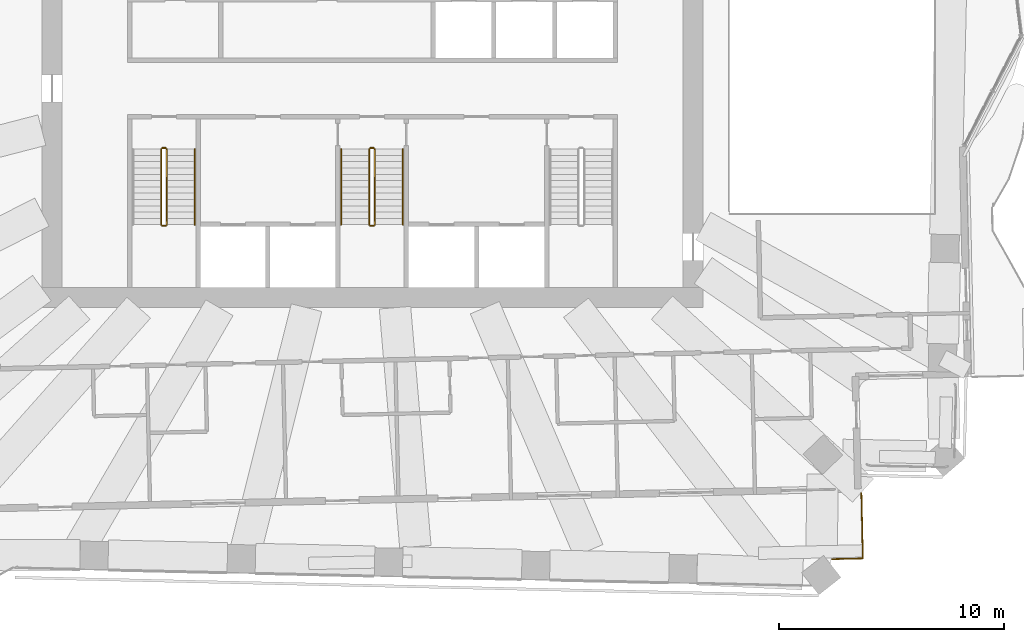
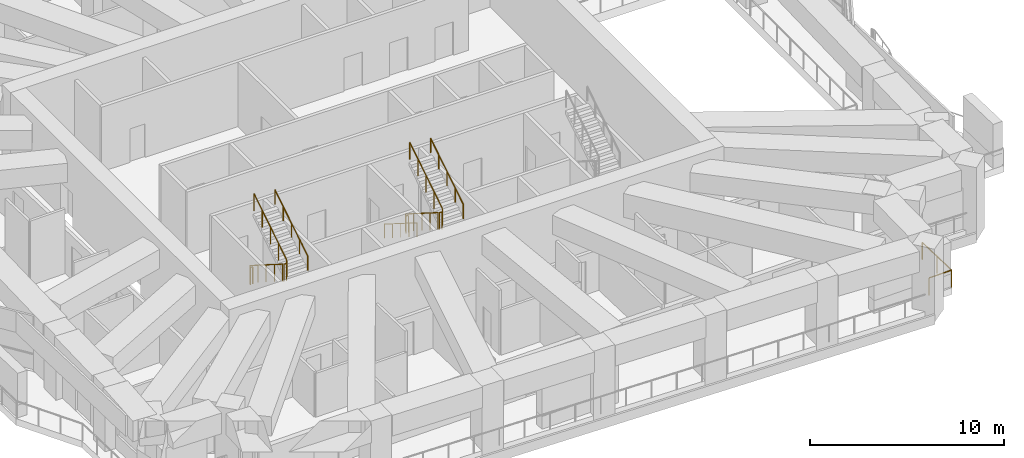
# One storey, part 15 of 17: 12 railings.
"""IFC4 building model written with IfcOpenShell, lengths in metres."""

from ifc_helpers import new_model, si_unit, direction, frame, origin, origin_2d, place, context, subcontext, project, spatial, rectangle, circle, extrude, material, type_object, element, save


model = new_model("IFC4")

# Units and contexts
model_context = context("Model", 3, precision=1e-05, world=origin(), true_north=direction((0.0, 1.0)))
body_context = subcontext(model_context, "Body", "Model", "MODEL_VIEW")
ifc_project = project(units=[si_unit("LENGTHUNIT", "METRE"), si_unit("AREAUNIT", "SQUARE_METRE"), si_unit("VOLUMEUNIT", "CUBIC_METRE"), si_unit("PLANEANGLEUNIT", "RADIAN"), si_unit("MASSUNIT", "GRAM", prefix="KILO")], contexts=[model_context])

# Site, building, storey
site_placement = place(None, origin())
site = spatial("IfcSite", under=ifc_project, at=site_placement, CompositionType="ELEMENT")
building_placement = place(site_placement, origin())
building = spatial("IfcBuilding", under=site, at=building_placement, Name="Mangrove Gate Tower", CompositionType="ELEMENT")
storey_placement = place(building_placement, frame((0.0, 0.0, 170.699951171875)))
storey = spatial("IfcBuildingStorey", under=building, at=storey_placement, Name="L43", CompositionType="ELEMENT", Elevation=170.699951171875)

# Railings
ifc_material_1 = material(Name="Stainless steel grade 316 with laminated glass infill", Category="steel")
railing_type_1 = type_object("IfcRailingType", Name="Balcony guard 1100", PredefinedType="GUARDRAIL", material=ifc_material_1)
railing_1_placement = place(storey_placement, frame((20.43994140625, -22.87890625, 0.0)))
element("IfcRailing", 1, at=railing_1_placement, inside=storey, type_object=railing_type_1, Name="GUARD L43 S2", PredefinedType="GUARDRAIL", context=body_context, shape_type="SweptSolid", body=[
    extrude(rectangle(XDim=0.048095703125, YDim=0.048095703125, at=origin_2d()), frame((0.0, 0.0, 1.076171875), z_axis=(0.999740630614, 0.022774360554, 0.0), x_axis=(-0.022774360554, 0.999740630614, 0.0)), (0.0, 0.0, 1.0), 1.361328125),
    extrude(rectangle(XDim=0.048095703125, YDim=0.048095703125, at=origin_2d()), frame((1.361083984375, 0.031005859375, 1.076171875), z_axis=(-0.022654696127, 0.999743349437, 0.0), x_axis=(-0.999743349437, -0.022654696127, 0.0)), (0.0, 0.0, 1.0), 2.90966796875),
    extrude(rectangle(XDim=0.0419921875, YDim=0.0419921875, at=origin_2d()), origin(), (0.0, 0.0, 1.0), 1.052001953125),
    extrude(rectangle(XDim=0.0419921875, YDim=0.0419921875, at=origin_2d()), frame((1.361083984375, 0.031005859375, 0.0)), (0.0, 0.0, 1.0), 1.052001953125),
    extrude(rectangle(XDim=0.0419921875, YDim=0.0419921875, at=origin_2d()), frame((1.328125, 1.4853515625, 0.0)), (0.0, 0.0, 1.0), 1.052001953125),
    extrude(rectangle(XDim=0.0419921875, YDim=0.0419921875, at=origin_2d()), frame((1.295166015625, 2.93994140625, 0.0)), (0.0, 0.0, 1.0), 1.052001953125),
])
ifc_material_2 = material(Name="Stainless steel 316", Category="steel")
railing_type_2 = type_object("IfcRailingType", Name="Core stair guard 1100", PredefinedType="GUARDRAIL", material=ifc_material_2)
railing_2_placement = place(storey_placement, frame((-9.39990234375, -4.64990234375, 0.177001953125)))
element("IfcRailing", 2, at=railing_2_placement, inside=storey, type_object=railing_type_2, Name="L43 ST1 stair guard 1", PredefinedType="GUARDRAIL", context=body_context, shape_type="SweptSolid", body=[
    extrude(rectangle(XDim=0.048095703125, YDim=0.048095703125, at=origin_2d()), frame((0.0, 0.0, 1.076171875), z_axis=(0.0, -0.845389635667, 0.534150132366), x_axis=(1.0, 0.0, 0.0)), (0.0, 0.0, 1.0), 3.974609375),
    extrude(rectangle(XDim=0.0419921875, YDim=0.0419921875, at=origin_2d()), origin(), (0.0, 0.0, 1.0), 1.052001953125),
    extrude(rectangle(XDim=0.0419921875, YDim=0.0419921875, at=origin_2d()), frame((0.0, -0.840087890625, 0.53076171875)), (0.0, 0.0, 1.0), 1.052001953125),
    extrude(rectangle(XDim=0.0419921875, YDim=0.0419921875, at=origin_2d()), frame((0.0, -1.68017578125, 1.0615234375)), (0.0, 0.0, 1.0), 1.052001953125),
    extrude(rectangle(XDim=0.0419921875, YDim=0.0419921875, at=origin_2d()), frame((0.0, -2.52001953125, 1.59228515625)), (0.0, 0.0, 1.0), 1.052001953125),
    extrude(rectangle(XDim=0.0419921875, YDim=0.0419921875, at=origin_2d()), frame((0.0, -3.360107421875, 2.123046875)), (0.0, 0.0, 1.0), 1.052001953125),
])
railing_3_placement = place(storey_placement, frame((-9.35009765625, -8.06005859375, 2.300048828125)))
element("IfcRailing", 3, at=railing_3_placement, inside=storey, type_object=railing_type_2, Name="L43 ST1 stair guard 2", PredefinedType="GUARDRAIL", context=body_context, shape_type="SweptSolid", body=[
    extrude(rectangle(XDim=0.048095703125, YDim=0.048095703125, at=origin_2d()), frame((0.0, 0.0, 1.076171875), z_axis=(1.0, 0.0, 0.0), x_axis=(0.0, 1.0, 0.0)), (0.0, 0.0, 1.0), 0.150146484375),
    extrude(rectangle(XDim=0.0419921875, YDim=0.0419921875, at=origin_2d()), origin(), (0.0, 0.0, 1.0), 1.052001953125),
    extrude(rectangle(XDim=0.0419921875, YDim=0.0419921875, at=origin_2d()), frame((0.150146484375, 0.0, 0.0)), (0.0, 0.0, 1.0), 1.052001953125),
])
railing_4_placement = place(storey_placement, frame((-9.14990234375, -8.010009765625, 2.47705078125)))
element("IfcRailing", 4, at=railing_4_placement, inside=storey, type_object=railing_type_2, Name="L43 ST1 stair guard 3", PredefinedType="GUARDRAIL", context=body_context, shape_type="SweptSolid", body=[
    extrude(rectangle(XDim=0.048095703125, YDim=0.048095703125, at=origin_2d()), frame((0.0, 0.0, 1.076171875), z_axis=(0.0, 0.845389635667, 0.534150132366), x_axis=(-1.0, 0.0, 0.0)), (0.0, 0.0, 1.0), 3.974609375),
    extrude(rectangle(XDim=0.0419921875, YDim=0.0419921875, at=origin_2d()), origin(), (0.0, 0.0, 1.0), 1.052001953125),
    extrude(rectangle(XDim=0.0419921875, YDim=0.0419921875, at=origin_2d()), frame((0.0, 0.840087890625, 0.53076171875)), (0.0, 0.0, 1.0), 1.052001953125),
    extrude(rectangle(XDim=0.0419921875, YDim=0.0419921875, at=origin_2d()), frame((0.0, 1.68017578125, 1.0615234375)), (0.0, 0.0, 1.0), 1.052001953125),
    extrude(rectangle(XDim=0.0419921875, YDim=0.0419921875, at=origin_2d()), frame((0.0, 2.52001953125, 1.59228515625)), (0.0, 0.0, 1.0), 1.052001953125),
    extrude(rectangle(XDim=0.0419921875, YDim=0.0419921875, at=origin_2d()), frame((0.0, 3.360107421875, 2.123046875)), (0.0, 0.0, 1.0), 1.052001953125),
])
railing_5_placement = place(storey_placement, frame((-9.35009765625, -4.60009765625, 0.0)))
element("IfcRailing", 5, at=railing_5_placement, inside=storey, type_object=railing_type_2, Name="L43 ST1 stair guard 4", PredefinedType="GUARDRAIL", context=body_context, shape_type="SweptSolid", body=[
    extrude(rectangle(XDim=0.048095703125, YDim=0.048095703125, at=origin_2d()), frame((0.0, 0.0, 1.076171875), z_axis=(1.0, 0.0, 0.0), x_axis=(0.0, 1.0, 0.0)), (0.0, 0.0, 1.0), 0.150146484375),
    extrude(rectangle(XDim=0.0419921875, YDim=0.0419921875, at=origin_2d()), origin(), (0.0, 0.0, 1.0), 1.052001953125),
    extrude(rectangle(XDim=0.0419921875, YDim=0.0419921875, at=origin_2d()), frame((0.150146484375, 0.0, 0.0)), (0.0, 0.0, 1.0), 1.052001953125),
])
railing_6_placement = place(storey_placement, frame((-0.14990234375, -4.64990234375, 0.177001953125)))
element("IfcRailing", 6, at=railing_6_placement, inside=storey, type_object=railing_type_2, Name="L43 ST2 stair guard 1", PredefinedType="GUARDRAIL", context=body_context, shape_type="SweptSolid", body=[
    extrude(rectangle(XDim=0.048095703125, YDim=0.048095703125, at=origin_2d()), frame((0.0, 0.0, 1.076171875), z_axis=(0.0, -0.845389635667, 0.534150132366), x_axis=(1.0, 0.0, 0.0)), (0.0, 0.0, 1.0), 3.974609375),
    extrude(rectangle(XDim=0.0419921875, YDim=0.0419921875, at=origin_2d()), origin(), (0.0, 0.0, 1.0), 1.052001953125),
    extrude(rectangle(XDim=0.0419921875, YDim=0.0419921875, at=origin_2d()), frame((0.0, -0.840087890625, 0.53076171875)), (0.0, 0.0, 1.0), 1.052001953125),
    extrude(rectangle(XDim=0.0419921875, YDim=0.0419921875, at=origin_2d()), frame((0.0, -1.68017578125, 1.0615234375)), (0.0, 0.0, 1.0), 1.052001953125),
    extrude(rectangle(XDim=0.0419921875, YDim=0.0419921875, at=origin_2d()), frame((0.0, -2.52001953125, 1.59228515625)), (0.0, 0.0, 1.0), 1.052001953125),
    extrude(rectangle(XDim=0.0419921875, YDim=0.0419921875, at=origin_2d()), frame((0.0, -3.360107421875, 2.123046875)), (0.0, 0.0, 1.0), 1.052001953125),
])
railing_7_placement = place(storey_placement, frame((-0.10009765625, -8.06005859375, 2.300048828125)))
element("IfcRailing", 7, at=railing_7_placement, inside=storey, type_object=railing_type_2, Name="L43 ST2 stair guard 2", PredefinedType="GUARDRAIL", context=body_context, shape_type="SweptSolid", body=[
    extrude(rectangle(XDim=0.048095703125, YDim=0.048095703125, at=origin_2d()), frame((0.0, 0.0, 1.076171875), z_axis=(1.0, 0.0, 0.0), x_axis=(0.0, 1.0, 0.0)), (0.0, 0.0, 1.0), 0.150146484375),
    extrude(rectangle(XDim=0.0419921875, YDim=0.0419921875, at=origin_2d()), origin(), (0.0, 0.0, 1.0), 1.052001953125),
    extrude(rectangle(XDim=0.0419921875, YDim=0.0419921875, at=origin_2d()), frame((0.150146484375, 0.0, 0.0)), (0.0, 0.0, 1.0), 1.052001953125),
])
railing_8_placement = place(storey_placement, frame((0.10009765625, -8.010009765625, 2.47705078125)))
element("IfcRailing", 8, at=railing_8_placement, inside=storey, type_object=railing_type_2, Name="L43 ST2 stair guard 3", PredefinedType="GUARDRAIL", context=body_context, shape_type="SweptSolid", body=[
    extrude(rectangle(XDim=0.048095703125, YDim=0.048095703125, at=origin_2d()), frame((0.0, 0.0, 1.076171875), z_axis=(0.0, 0.845389635667, 0.534150132366), x_axis=(-1.0, 0.0, 0.0)), (0.0, 0.0, 1.0), 3.974609375),
    extrude(rectangle(XDim=0.0419921875, YDim=0.0419921875, at=origin_2d()), origin(), (0.0, 0.0, 1.0), 1.052001953125),
    extrude(rectangle(XDim=0.0419921875, YDim=0.0419921875, at=origin_2d()), frame((0.0, 0.840087890625, 0.53076171875)), (0.0, 0.0, 1.0), 1.052001953125),
    extrude(rectangle(XDim=0.0419921875, YDim=0.0419921875, at=origin_2d()), frame((0.0, 1.68017578125, 1.0615234375)), (0.0, 0.0, 1.0), 1.052001953125),
    extrude(rectangle(XDim=0.0419921875, YDim=0.0419921875, at=origin_2d()), frame((0.0, 2.52001953125, 1.59228515625)), (0.0, 0.0, 1.0), 1.052001953125),
    extrude(rectangle(XDim=0.0419921875, YDim=0.0419921875, at=origin_2d()), frame((0.0, 3.360107421875, 2.123046875)), (0.0, 0.0, 1.0), 1.052001953125),
])
railing_9_placement = place(storey_placement, frame((-0.10009765625, -4.60009765625, 0.0)))
element("IfcRailing", 9, at=railing_9_placement, inside=storey, type_object=railing_type_2, Name="L43 ST2 stair guard 4", PredefinedType="GUARDRAIL", context=body_context, shape_type="SweptSolid", body=[
    extrude(rectangle(XDim=0.048095703125, YDim=0.048095703125, at=origin_2d()), frame((0.0, 0.0, 1.076171875), z_axis=(1.0, 0.0, 0.0), x_axis=(0.0, 1.0, 0.0)), (0.0, 0.0, 1.0), 0.150146484375),
    extrude(rectangle(XDim=0.0419921875, YDim=0.0419921875, at=origin_2d()), origin(), (0.0, 0.0, 1.0), 1.052001953125),
    extrude(rectangle(XDim=0.0419921875, YDim=0.0419921875, at=origin_2d()), frame((0.150146484375, 0.0, 0.0)), (0.0, 0.0, 1.0), 1.052001953125),
])
ifc_material_3 = material(Name="Stainless steel 316", Category="steel")
railing_type_3 = type_object("IfcRailingType", Name="Core stair handrail 900", PredefinedType="HANDRAIL", material=ifc_material_3)
railing_10_placement = place(storey_placement, frame((-7.89990234375, -8.010009765625, 2.47705078125)))
element("IfcRailing", 10, at=railing_10_placement, inside=storey, type_object=railing_type_3, Name="L43 ST1 stair handrail 2", PredefinedType="HANDRAIL", context=body_context, shape_type="SweptSolid", body=[
    extrude(circle(Radius=0.02392578125, at=origin_2d()), frame((0.0, 0.0, 0.8759765625), z_axis=(0.0, 0.845389635667, 0.534150132366), x_axis=(-1.0, 0.0, 0.0)), (0.0, 0.0, 1.0), 3.974609375),
    extrude(circle(Radius=0.02099609375, at=origin_2d()), origin(), (0.0, 0.0, 1.0), 0.851806640625),
    extrude(circle(Radius=0.02099609375, at=origin_2d()), frame((0.0, 0.840087890625, 0.53076171875)), (0.0, 0.0, 1.0), 0.851806640625),
    extrude(circle(Radius=0.02099609375, at=origin_2d()), frame((0.0, 1.68017578125, 1.0615234375)), (0.0, 0.0, 1.0), 0.851806640625),
    extrude(circle(Radius=0.02099609375, at=origin_2d()), frame((0.0, 2.52001953125, 1.59228515625)), (0.0, 0.0, 1.0), 0.851806640625),
    extrude(circle(Radius=0.02099609375, at=origin_2d()), frame((0.0, 3.360107421875, 2.123046875)), (0.0, 0.0, 1.0), 0.851806640625),
])
railing_11_placement = place(storey_placement, frame((-1.39990234375, -4.64990234375, 0.177001953125)))
element("IfcRailing", 11, at=railing_11_placement, inside=storey, type_object=railing_type_3, Name="L43 ST2 stair handrail 1", PredefinedType="HANDRAIL", context=body_context, shape_type="SweptSolid", body=[
    extrude(circle(Radius=0.02392578125, at=origin_2d()), frame((0.0, 0.0, 0.8759765625), z_axis=(0.0, -0.845389635667, 0.534150132366), x_axis=(1.0, 0.0, 0.0)), (0.0, 0.0, 1.0), 3.974609375),
    extrude(circle(Radius=0.02099609375, at=origin_2d()), origin(), (0.0, 0.0, 1.0), 0.851806640625),
    extrude(circle(Radius=0.02099609375, at=origin_2d()), frame((0.0, -0.840087890625, 0.53076171875)), (0.0, 0.0, 1.0), 0.851806640625),
    extrude(circle(Radius=0.02099609375, at=origin_2d()), frame((0.0, -1.68017578125, 1.0615234375)), (0.0, 0.0, 1.0), 0.851806640625),
    extrude(circle(Radius=0.02099609375, at=origin_2d()), frame((0.0, -2.52001953125, 1.59228515625)), (0.0, 0.0, 1.0), 0.851806640625),
    extrude(circle(Radius=0.02099609375, at=origin_2d()), frame((0.0, -3.360107421875, 2.123046875)), (0.0, 0.0, 1.0), 0.851806640625),
])
railing_12_placement = place(storey_placement, frame((1.35009765625, -8.010009765625, 2.47705078125)))
element("IfcRailing", 12, at=railing_12_placement, inside=storey, type_object=railing_type_3, Name="L43 ST2 stair handrail 2", PredefinedType="HANDRAIL", context=body_context, shape_type="SweptSolid", body=[
    extrude(circle(Radius=0.02392578125, at=origin_2d()), frame((0.0, 0.0, 0.8759765625), z_axis=(0.0, 0.845389635667, 0.534150132366), x_axis=(-1.0, 0.0, 0.0)), (0.0, 0.0, 1.0), 3.974609375),
    extrude(circle(Radius=0.02099609375, at=origin_2d()), origin(), (0.0, 0.0, 1.0), 0.851806640625),
    extrude(circle(Radius=0.02099609375, at=origin_2d()), frame((0.0, 0.840087890625, 0.53076171875)), (0.0, 0.0, 1.0), 0.851806640625),
    extrude(circle(Radius=0.02099609375, at=origin_2d()), frame((0.0, 1.68017578125, 1.0615234375)), (0.0, 0.0, 1.0), 0.851806640625),
    extrude(circle(Radius=0.02099609375, at=origin_2d()), frame((0.0, 2.52001953125, 1.59228515625)), (0.0, 0.0, 1.0), 0.851806640625),
    extrude(circle(Radius=0.02099609375, at=origin_2d()), frame((0.0, 3.360107421875, 2.123046875)), (0.0, 0.0, 1.0), 0.851806640625),
])

save(model, "model.ifc")
